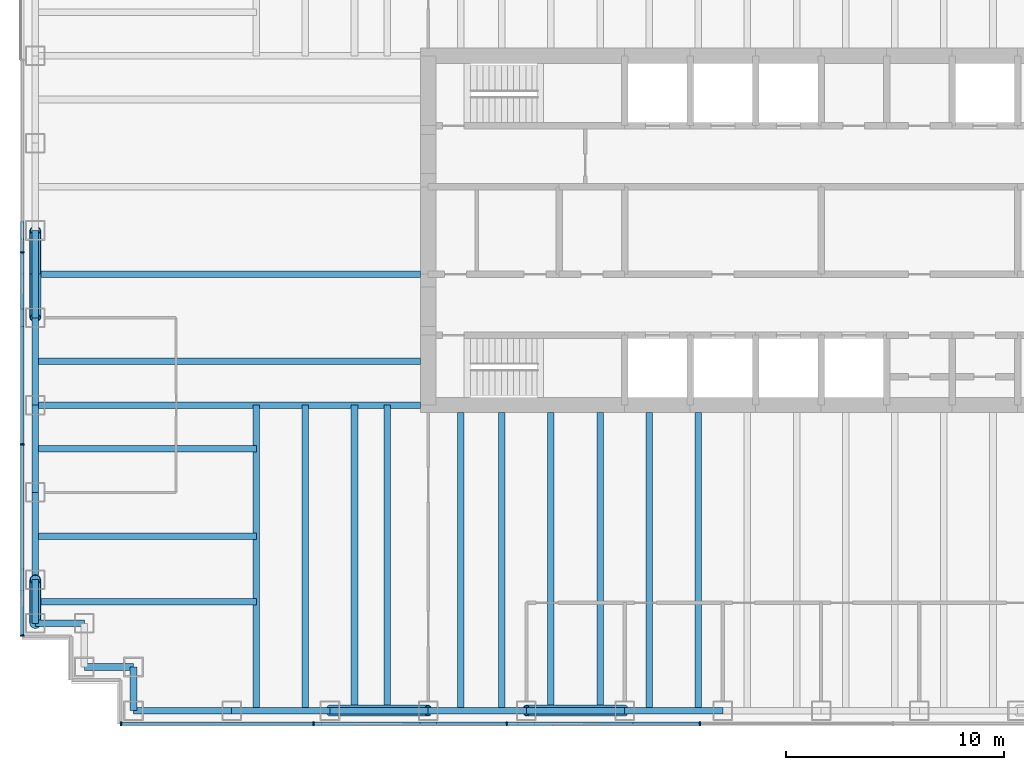
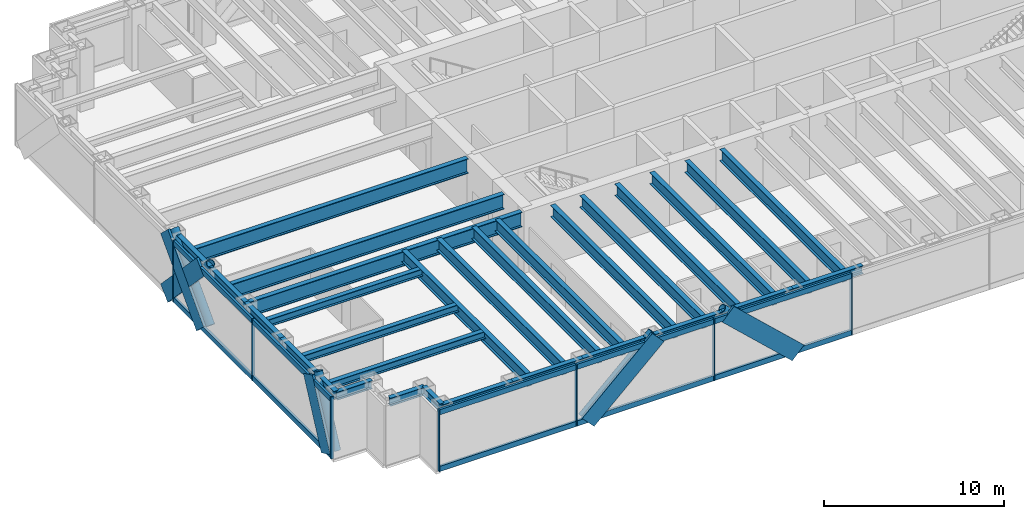
# One storey, part 2 of 15: 30 beams, 27 members, 2 elements without a shape of their own.
"""IFC4 building model written with IfcOpenShell, lengths in metres."""

from ifc_helpers import new_model, si_unit, direction, frame, origin, origin_2d, place, context, subcontext, project, spatial, rectangle, hollow_circle, i_section, extrude, material, material_profile, profile_set, type_object, element, aggregate, save


model = new_model("IFC4")

# Units and contexts
model_context = context("Model", 3, precision=1e-05, world=origin(), true_north=direction((0.0, 1.0)))
body_context = subcontext(model_context, "Body", "Model", "MODEL_VIEW")
ifc_project = project(units=[si_unit("LENGTHUNIT", "METRE"), si_unit("AREAUNIT", "SQUARE_METRE"), si_unit("VOLUMEUNIT", "CUBIC_METRE"), si_unit("PLANEANGLEUNIT", "RADIAN"), si_unit("MASSUNIT", "GRAM", prefix="KILO")], contexts=[model_context])

# Site, building, storey
site_placement = place(None, origin())
site = spatial("IfcSite", under=ifc_project, at=site_placement, CompositionType="ELEMENT")
building_placement = place(site_placement, origin())
building = spatial("IfcBuilding", under=site, at=building_placement, Name="Rheinbord Bourse Tower", CompositionType="ELEMENT")
storey_placement = place(building_placement, frame((0.0, 0.0, 313.10009765625)))
storey = spatial("IfcBuildingStorey", under=building, at=storey_placement, Name="L71", CompositionType="ELEMENT", Elevation=313.10009765625)

# Curtain wall, members
ifc_material_1 = material(Name="Dark glass and black aluminium", Category="aluminium")
curtain_wall_type = type_object("IfcCurtainWallType", Name="CW3 DARK GLASS CURTAIN WALL", PredefinedType="USERDEFINED", material=ifc_material_1)
curtain_wall_1_placement = place(storey_placement, origin())
curtain_wall_1 = element("IfcCurtainWall", 1, at=curtain_wall_1_placement, inside=storey, type_object=curtain_wall_type, Name="Curtain wall CW3 S L71", ObjectType="UNITISED CURTAIN WALL", PredefinedType="USERDEFINED")
ifc_material_2 = material(Name="Black anodised aluminium", Category="aluminium")
ifc_material_profile_1 = material_profile(ifc_material_2, rectangle(XDim=0.14990234375, YDim=1.10791015625, at=origin_2d()), Name="CW3 DIAGONAL MULLION 1108x150")
ifc_profile_set_1 = profile_set([ifc_material_profile_1], Name="Black anodised aluminium")
member_type_1 = type_object("IfcMemberType", Name="CW3 BLACK DIAGONAL MULLION", PredefinedType="USERDEFINED", material=ifc_profile_set_1)
member_1_placement = place(storey_placement, frame((13.5, 1.39990234375, 0.0), z_axis=(0.73105922506, 0.0, 0.682314010889), x_axis=(0.0, 1.0, 0.0)))
member_1 = element("IfcMember", 2, at=member_1_placement, type_object=member_type_1, Name="CW3 diagonal mullion b", ObjectType="DIAGONAL MULLION", PredefinedType="USERDEFINED", context=body_context, shape_type="SweptSolid", body=[
    extrude(rectangle(XDim=0.14990234375, YDim=1.10791015625, at=origin_2d()), origin(), (0.0, 0.0, 1.0), 6.155517578125),
])
member_2_placement = place(storey_placement, frame((27.0, 1.39990234375, 0.0), z_axis=(-0.73105922506, 0.0, 0.682314010889), x_axis=(0.0, -1.0, 0.0)))
member_2 = element("IfcMember", 3, at=member_2_placement, type_object=member_type_1, Name="CW3 diagonal mullion c", ObjectType="DIAGONAL MULLION", PredefinedType="USERDEFINED", context=body_context, shape_type="SweptSolid", body=[
    extrude(rectangle(XDim=0.14990234375, YDim=1.10791015625, at=origin_2d()), origin(), (0.0, 0.0, 1.0), 6.155517578125),
])

curtain_wall_2_placement = place(storey_placement, origin())
curtain_wall_2 = element("IfcCurtainWall", 4, at=curtain_wall_2_placement, inside=storey, type_object=curtain_wall_type, Name="Curtain wall CW3 W L71", ObjectType="UNITISED CURTAIN WALL", PredefinedType="USERDEFINED")
member_3_placement = place(storey_placement, frame((-0.60009765625, 6.0, 0.0), z_axis=(0.0, 0.429937654825, 0.902858578607), x_axis=(-1.0, 0.0, 0.0)))
member_3 = element("IfcMember", 5, at=member_3_placement, type_object=member_type_1, Name="CW3 diagonal mullion a", ObjectType="DIAGONAL MULLION", PredefinedType="USERDEFINED", context=body_context, shape_type="SweptSolid", body=[
    extrude(rectangle(XDim=0.14990234375, YDim=1.10791015625, at=origin_2d()), origin(), (0.0, 0.0, 1.0), 4.65185546875),
])
member_4_placement = place(storey_placement, frame((-0.60009765625, 20.0, 0.0), z_axis=(0.0, 0.689659376744, 0.724133926887), x_axis=(-1.0, 0.0, 0.0)))
member_4 = element("IfcMember", 6, at=member_4_placement, type_object=member_type_1, Name="CW3 diagonal mullion c", ObjectType="DIAGONAL MULLION", PredefinedType="USERDEFINED", context=body_context, shape_type="SweptSolid", body=[
    extrude(rectangle(XDim=0.14990234375, YDim=1.10791015625, at=origin_2d()), origin(), (0.0, 0.0, 1.0), 5.800048828125),
])
member_5_placement = place(storey_placement, frame((-0.60009765625, 24.0, 0.0), z_axis=(0.0, -0.689659376744, 0.724133926887), x_axis=(1.0, 0.0, 0.0)))
member_5 = element("IfcMember", 7, at=member_5_placement, type_object=member_type_1, Name="CW3 diagonal mullion d", ObjectType="DIAGONAL MULLION", PredefinedType="USERDEFINED", context=body_context, shape_type="SweptSolid", body=[
    extrude(rectangle(XDim=0.14990234375, YDim=1.10791015625, at=origin_2d()), origin(), (0.0, 0.0, 1.0), 5.800048828125),
])

# Member
ifc_material_3 = material(Name="Black anodised aluminium", Category="aluminium")
ifc_material_profile_2 = material_profile(ifc_material_3, rectangle(XDim=0.199951171875, YDim=0.06494140625, at=origin_2d()), Name="CW3 MULLION 65x200")
ifc_profile_set_2 = profile_set([ifc_material_profile_2], Name="Black anodised aluminium")
member_type_2 = type_object("IfcMemberType", Name="CW3 BLACK MULLION", PredefinedType="MULLION", material=ifc_profile_set_2)
member_6_placement = place(storey_placement, frame((3.9326171875, 1.39990234375, 0.0), z_axis=(0.0, 0.0, 1.0), x_axis=(0.0, 1.0, 0.0)))
member_6 = element("IfcMember", 8, at=member_6_placement, type_object=member_type_2, Name="CW3 mullion 1", PredefinedType="MULLION", context=body_context, shape_type="SweptSolid", body=[
    extrude(rectangle(XDim=0.199951171875, YDim=0.06494140625, at=origin_2d()), origin(), (0.0, 0.0, 1.0), 4.199951171875),
])

member_7_placement = place(storey_placement, frame((12.75, 1.39990234375, 0.0), z_axis=(0.0, 0.0, 1.0), x_axis=(0.0, 1.0, 0.0)))
member_7 = element("IfcMember", 9, at=member_7_placement, type_object=member_type_2, Name="CW3 mullion 2", PredefinedType="MULLION", context=body_context, shape_type="SweptSolid", body=[
    extrude(rectangle(XDim=0.199951171875, YDim=0.06494140625, at=origin_2d()), origin(), (0.0, 0.0, 1.0), 4.199951171875),
])

member_8_placement = place(storey_placement, frame((21.60009765625, 1.39990234375, 0.0), z_axis=(0.0, 0.0, 1.0), x_axis=(0.0, 1.0, 0.0)))
member_8 = element("IfcMember", 10, at=member_8_placement, type_object=member_type_2, Name="CW3 mullion 3", PredefinedType="MULLION", context=body_context, shape_type="SweptSolid", body=[
    extrude(rectangle(XDim=0.199951171875, YDim=0.06494140625, at=origin_2d()), origin(), (0.0, 0.0, 1.0), 4.199951171875),
])

member_9_placement = place(storey_placement, frame((30.449951171875, 1.39990234375, 0.0), z_axis=(0.0, 0.0, 1.0), x_axis=(0.0, 1.0, 0.0)))
member_9 = element("IfcMember", 11, at=member_9_placement, type_object=member_type_2, Name="CW3 mullion 4", PredefinedType="MULLION", context=body_context, shape_type="SweptSolid", body=[
    extrude(rectangle(XDim=0.199951171875, YDim=0.06494140625, at=origin_2d()), origin(), (0.0, 0.0, 1.0), 4.199951171875),
])

member_10_placement = place(storey_placement, frame((-0.60009765625, 23.0, 0.0), z_axis=(0.0, 0.0, 1.0), x_axis=(1.0, 0.0, 0.0)))
member_10 = element("IfcMember", 12, at=member_10_placement, type_object=member_type_2, Name="CW3 mullion 3", PredefinedType="MULLION", context=body_context, shape_type="SweptSolid", body=[
    extrude(rectangle(XDim=0.199951171875, YDim=0.06494140625, at=origin_2d()), origin(), (0.0, 0.0, 1.0), 4.199951171875),
])

member_11_placement = place(storey_placement, frame((-0.60009765625, 14.199951171875, 0.0), z_axis=(0.0, 0.0, 1.0), x_axis=(1.0, 0.0, 0.0)))
member_11 = element("IfcMember", 13, at=member_11_placement, type_object=member_type_2, Name="CW3 mullion 4", PredefinedType="MULLION", context=body_context, shape_type="SweptSolid", body=[
    extrude(rectangle(XDim=0.199951171875, YDim=0.06494140625, at=origin_2d()), origin(), (0.0, 0.0, 1.0), 4.199951171875),
])

member_12_placement = place(storey_placement, frame((-0.60009765625, 5.4326171875, 0.0), z_axis=(0.0, 0.0, 1.0), x_axis=(1.0, 0.0, 0.0)))
member_12 = element("IfcMember", 14, at=member_12_placement, type_object=member_type_2, Name="CW3 mullion 5", PredefinedType="MULLION", context=body_context, shape_type="SweptSolid", body=[
    extrude(rectangle(XDim=0.199951171875, YDim=0.06494140625, at=origin_2d()), origin(), (0.0, 0.0, 1.0), 4.199951171875),
])

ifc_material_4 = material(Name="Black anodised aluminium", Category="aluminium")
ifc_material_profile_3 = material_profile(ifc_material_4, rectangle(XDim=0.14990234375, YDim=0.35009765625, at=origin_2d()), Name="CW3 TRANSOM 350x150")
ifc_profile_set_3 = profile_set([ifc_material_profile_3], Name="Black anodised aluminium")
member_type_3 = type_object("IfcMemberType", Name="CW3 BLACK TRANSOM", PredefinedType="USERDEFINED", material=ifc_profile_set_3)
member_13_placement = place(storey_placement, frame((3.965087890625, 1.39990234375, 0.1748046875), z_axis=(1.0, 0.0, 0.0), x_axis=(0.0, 1.0, 0.0)))
member_13 = element("IfcMember", 15, at=member_13_placement, type_object=member_type_3, Name="CW3 transom 1.1", ObjectType="TRANSOM", PredefinedType="USERDEFINED", context=body_context, shape_type="SweptSolid", body=[
    extrude(rectangle(XDim=0.14990234375, YDim=0.35009765625, at=origin_2d()), origin(), (0.0, 0.0, 1.0), 8.75244140625),
])

member_14_placement = place(storey_placement, frame((3.965087890625, 1.39990234375, 4.02490234375), z_axis=(1.0, 0.0, 0.0), x_axis=(0.0, 1.0, 0.0)))
member_14 = element("IfcMember", 16, at=member_14_placement, type_object=member_type_3, Name="CW3 transom 1.2", ObjectType="TRANSOM", PredefinedType="USERDEFINED", context=body_context, shape_type="SweptSolid", body=[
    extrude(rectangle(XDim=0.14990234375, YDim=0.35009765625, at=origin_2d()), origin(), (0.0, 0.0, 1.0), 8.75244140625),
])

member_15_placement = place(storey_placement, frame((12.782470703125, 1.39990234375, 0.1748046875), z_axis=(1.0, 0.0, 0.0), x_axis=(0.0, 1.0, 0.0)))
member_15 = element("IfcMember", 17, at=member_15_placement, type_object=member_type_3, Name="CW3 transom 2.1", ObjectType="TRANSOM", PredefinedType="USERDEFINED", context=body_context, shape_type="SweptSolid", body=[
    extrude(rectangle(XDim=0.14990234375, YDim=0.35009765625, at=origin_2d()), origin(), (0.0, 0.0, 1.0), 8.784912109375),
])

member_16_placement = place(storey_placement, frame((12.782470703125, 1.39990234375, 4.02490234375), z_axis=(1.0, 0.0, 0.0), x_axis=(0.0, 1.0, 0.0)))
member_16 = element("IfcMember", 18, at=member_16_placement, type_object=member_type_3, Name="CW3 transom 2.2", ObjectType="TRANSOM", PredefinedType="USERDEFINED", context=body_context, shape_type="SweptSolid", body=[
    extrude(rectangle(XDim=0.14990234375, YDim=0.35009765625, at=origin_2d()), origin(), (0.0, 0.0, 1.0), 8.784912109375),
])

member_17_placement = place(storey_placement, frame((21.632568359375, 1.39990234375, 0.1748046875), z_axis=(1.0, 0.0, 0.0), x_axis=(0.0, 1.0, 0.0)))
member_17 = element("IfcMember", 19, at=member_17_placement, type_object=member_type_3, Name="CW3 transom 3.1", ObjectType="TRANSOM", PredefinedType="USERDEFINED", context=body_context, shape_type="SweptSolid", body=[
    extrude(rectangle(XDim=0.14990234375, YDim=0.35009765625, at=origin_2d()), origin(), (0.0, 0.0, 1.0), 8.784912109375),
])

member_18_placement = place(storey_placement, frame((21.632568359375, 1.39990234375, 4.02490234375), z_axis=(1.0, 0.0, 0.0), x_axis=(0.0, 1.0, 0.0)))
member_18 = element("IfcMember", 20, at=member_18_placement, type_object=member_type_3, Name="CW3 transom 3.2", ObjectType="TRANSOM", PredefinedType="USERDEFINED", context=body_context, shape_type="SweptSolid", body=[
    extrude(rectangle(XDim=0.14990234375, YDim=0.35009765625, at=origin_2d()), origin(), (0.0, 0.0, 1.0), 8.784912109375),
])

aggregate(curtain_wall_1, [member_6, member_7, member_8, member_9, member_13, member_14, member_15, member_16, member_17, member_18, member_1, member_2])

member_19_placement = place(storey_placement, frame((-0.60009765625, 22.967529296875, 0.1748046875), z_axis=(0.0, -1.0, 0.0), x_axis=(1.0, 0.0, 0.0)))
member_19 = element("IfcMember", 21, at=member_19_placement, type_object=member_type_3, Name="CW3 transom 3.1", ObjectType="TRANSOM", PredefinedType="USERDEFINED", context=body_context, shape_type="SweptSolid", body=[
    extrude(rectangle(XDim=0.14990234375, YDim=0.35009765625, at=origin_2d()), origin(), (0.0, 0.0, 1.0), 8.735107421875),
])

member_20_placement = place(storey_placement, frame((-0.60009765625, 22.967529296875, 4.02490234375), z_axis=(0.0, -1.0, 0.0), x_axis=(1.0, 0.0, 0.0)))
member_20 = element("IfcMember", 22, at=member_20_placement, type_object=member_type_3, Name="CW3 transom 3.2", ObjectType="TRANSOM", PredefinedType="USERDEFINED", context=body_context, shape_type="SweptSolid", body=[
    extrude(rectangle(XDim=0.14990234375, YDim=0.35009765625, at=origin_2d()), origin(), (0.0, 0.0, 1.0), 8.735107421875),
])

member_21_placement = place(storey_placement, frame((-0.60009765625, 14.16748046875, 0.1748046875), z_axis=(0.0, -1.0, 0.0), x_axis=(1.0, 0.0, 0.0)))
member_21 = element("IfcMember", 23, at=member_21_placement, type_object=member_type_3, Name="CW3 transom 4.1", ObjectType="TRANSOM", PredefinedType="USERDEFINED", context=body_context, shape_type="SweptSolid", body=[
    extrude(rectangle(XDim=0.14990234375, YDim=0.35009765625, at=origin_2d()), origin(), (0.0, 0.0, 1.0), 8.702392578125),
])

member_22_placement = place(storey_placement, frame((-0.60009765625, 14.16748046875, 4.02490234375), z_axis=(0.0, -1.0, 0.0), x_axis=(1.0, 0.0, 0.0)))
member_22 = element("IfcMember", 24, at=member_22_placement, type_object=member_type_3, Name="CW3 transom 4.2", ObjectType="TRANSOM", PredefinedType="USERDEFINED", context=body_context, shape_type="SweptSolid", body=[
    extrude(rectangle(XDim=0.14990234375, YDim=0.35009765625, at=origin_2d()), origin(), (0.0, 0.0, 1.0), 8.702392578125),
])

aggregate(curtain_wall_2, [member_10, member_11, member_12, member_19, member_20, member_21, member_22, member_3, member_4, member_5])

# Beams
ifc_material_5 = material(Name="Steel S460", Category="steel")
ifc_material_profile_4 = material_profile(ifc_material_5, i_section(OverallWidth=0.302001953125, OverallDepth=1.008056640625, WebThickness=0.02099609375, FlangeThickness=0.0400390625, at=origin_2d()), Name="HEM 1000")
ifc_profile_set_4 = profile_set([ifc_material_profile_4], Name="Steel S460")
beam_type_1 = type_object("IfcBeamType", Name="END BEAM HEM 1000", PredefinedType="BEAM", material=ifc_profile_set_4)
for number, where, z_axis, x_axis, name in (
    (25, (0.0, 18.0, 3.535888671875), (1.0, 0.0, 0.0), (0.0, 1.0, 0.0), "End beam west 18 L72"),
    (26, (0.0, 22.0, 3.535888671875), (1.0, 0.0, 0.0), (0.0, 1.0, 0.0), "End beam west 22 L72"),
):
    element("IfcBeam", number, at=place(storey_placement, frame(where, z_axis=z_axis, x_axis=x_axis)), inside=storey, type_object=beam_type_1, Name=name, PredefinedType="BEAM", context=body_context, shape_type="SweptSolid", body=[
        extrude(i_section(OverallWidth=0.302001953125, OverallDepth=1.008056640625, WebThickness=0.02099609375, FlangeThickness=0.0400390625, at=origin_2d()), origin(), (0.0, 0.0, 1.0), 17.64990234375),
    ])
ifc_material_6 = material(Name="Steel S460", Category="steel")
ifc_material_profile_5 = material_profile(ifc_material_6, i_section(OverallWidth=0.300048828125, OverallDepth=0.800048828125, WebThickness=0.017578125, FlangeThickness=0.032958984375, at=origin_2d()), Name="HEB 800")
ifc_profile_set_5 = profile_set([ifc_material_profile_5], Name="Steel S460")
beam_type_2 = type_object("IfcBeamType", Name="FLOOR BEAM HEB 800", PredefinedType="BEAM", material=ifc_profile_set_5)
for number, where, z_axis, x_axis, name in (
    (27, (10.125, 2.0, 3.639892578125), (0.0, 1.0, 0.0), (-1.0, 0.0, 0.0), "Floor beam S-9a L72"),
    (28, (12.375, 2.0, 3.639892578125), (0.0, 1.0, 0.0), (-1.0, 0.0, 0.0), "Floor beam S-9b L72"),
    (29, (14.625, 2.0, 3.639892578125), (0.0, 1.0, 0.0), (-1.0, 0.0, 0.0), "Floor beam S-13.5a L72"),
    (30, (16.125, 2.0, 3.639892578125), (0.0, 1.0, 0.0), (-1.0, 0.0, 0.0), "Floor beam S-13.5b L72"),
):
    element("IfcBeam", number, at=place(storey_placement, frame(where, z_axis=z_axis, x_axis=x_axis)), inside=storey, type_object=beam_type_2, Name=name, PredefinedType="BEAM", context=body_context, shape_type="SweptSolid", body=[
        extrude(i_section(OverallWidth=0.300048828125, OverallDepth=0.800048828125, WebThickness=0.017578125, FlangeThickness=0.032958984375, at=origin_2d()), origin(), (0.0, 0.0, 1.0), 14.0),
    ])
for number, where, z_axis, x_axis, name in (
    (31, (19.5, 2.0, 3.639892578125), (0.0, 1.0, 0.0), (-1.0, 0.0, 0.0), "Floor beam S-18a L72"),
    (32, (21.375, 2.0, 3.639892578125), (0.0, 1.0, 0.0), (-1.0, 0.0, 0.0), "Floor beam S-18b L72"),
    (33, (23.625, 2.0, 3.639892578125), (0.0, 1.0, 0.0), (-1.0, 0.0, 0.0), "Floor beam S-22.5a L72"),
    (34, (25.875, 2.0, 3.639892578125), (0.0, 1.0, 0.0), (-1.0, 0.0, 0.0), "Floor beam S-22.5b L72"),
    (35, (28.125, 2.0, 3.639892578125), (0.0, 1.0, 0.0), (-1.0, 0.0, 0.0), "Floor beam S-27a L72"),
    (36, (30.375, 2.0, 3.639892578125), (0.0, 1.0, 0.0), (-1.0, 0.0, 0.0), "Floor beam S-27b L72"),
):
    element("IfcBeam", number, at=place(storey_placement, frame(where, z_axis=z_axis, x_axis=x_axis)), inside=storey, type_object=beam_type_2, Name=name, PredefinedType="BEAM", context=body_context, shape_type="SweptSolid", body=[
        extrude(i_section(OverallWidth=0.300048828125, OverallDepth=0.800048828125, WebThickness=0.017578125, FlangeThickness=0.032958984375, at=origin_2d()), origin(), (0.0, 0.0, 1.0), 13.64990234375),
    ])
ifc_material_7 = material(Name="Steel S460", Category="steel")
ifc_material_profile_6 = material_profile(ifc_material_7, i_section(OverallWidth=0.302001953125, OverallDepth=1.008056640625, WebThickness=0.02099609375, FlangeThickness=0.0400390625, at=origin_2d()), Name="HEM 1000")
ifc_profile_set_6 = profile_set([ifc_material_profile_6], Name="Steel S460")
beam_type_3 = type_object("IfcBeamType", Name="GIRDER HEM 1000", PredefinedType="BEAM", material=ifc_profile_set_6)
beam_1_placement = place(storey_placement, frame((0.0, 16.0, 3.535888671875), z_axis=(1.0, 0.0, 0.0), x_axis=(0.0, 1.0, 0.0)))
element("IfcBeam", 37, at=beam_1_placement, inside=storey, type_object=beam_type_3, Name="Girder west 16 L72", PredefinedType="BEAM", context=body_context, shape_type="SweptSolid", body=[
    extrude(i_section(OverallWidth=0.302001953125, OverallDepth=1.008056640625, WebThickness=0.02099609375, FlangeThickness=0.0400390625, at=origin_2d()), origin(), (0.0, 0.0, 1.0), 17.64990234375),
])

# Members
ifc_material_8 = material(Name="Steel S460", Category="steel")
ifc_material_profile_7 = material_profile(ifc_material_8, hollow_circle(Radius=0.25390625, WallThickness=0.030029296875, at=origin_2d()), Name="CHS 508x30")
ifc_profile_set_7 = profile_set([ifc_material_profile_7], Name="Steel S460")
member_type_4 = type_object("IfcMemberType", Name="MEGABRACE CHS 508x30", PredefinedType="BRACE", material=ifc_profile_set_7)
for number, where, z_axis, x_axis, name in (
    (38, (13.5, 2.0, 0.0), (0.73105922506, 0.0, 0.682314010889), (0.0, 1.0, 0.0), "Megabrace S face line b L71"),
    (39, (27.0, 2.0, 0.0), (-0.73105922506, 0.0, 0.682314010889), (0.0, -1.0, 0.0), "Megabrace S face line c L71"),
):
    element("IfcMember", number, at=place(storey_placement, frame(where, z_axis=z_axis, x_axis=x_axis)), inside=storey, type_object=member_type_4, Name=name, PredefinedType="BRACE", context=body_context, shape_type="SweptSolid", body=[
        extrude(hollow_circle(Radius=0.25390625, WallThickness=0.030029296875, at=origin_2d()), origin(), (0.0, 0.0, 1.0), 6.155517578125),
    ])
member_23_placement = place(storey_placement, frame((0.0, 6.0, 0.0), z_axis=(0.0, 0.429937654825, 0.902858578607), x_axis=(-1.0, 0.0, 0.0)))
element("IfcMember", 40, at=member_23_placement, inside=storey, type_object=member_type_4, Name="Megabrace W face line a L71", PredefinedType="BRACE", context=body_context, shape_type="SweptSolid", body=[
    extrude(hollow_circle(Radius=0.25390625, WallThickness=0.030029296875, at=origin_2d()), origin(), (0.0, 0.0, 1.0), 4.65185546875),
])
for number, where, z_axis, x_axis, name in (
    (41, (0.0, 20.0, 0.0), (0.0, 0.689659376744, 0.724133926887), (-1.0, 0.0, 0.0), "Megabrace W face line c L71"),
    (42, (0.0, 24.0, 0.0), (0.0, -0.689659376744, 0.724133926887), (1.0, 0.0, 0.0), "Megabrace W face line d L71"),
):
    element("IfcMember", number, at=place(storey_placement, frame(where, z_axis=z_axis, x_axis=x_axis)), inside=storey, type_object=member_type_4, Name=name, PredefinedType="BRACE", context=body_context, shape_type="SweptSolid", body=[
        extrude(hollow_circle(Radius=0.25390625, WallThickness=0.030029296875, at=origin_2d()), origin(), (0.0, 0.0, 1.0), 5.800048828125),
    ])

# Beams
ifc_material_9 = material(Name="Steel S460", Category="steel")
ifc_material_profile_8 = material_profile(ifc_material_9, i_section(OverallWidth=0.300048828125, OverallDepth=0.550048828125, WebThickness=0.014892578125, FlangeThickness=0.029052734375, at=origin_2d()), Name="HEB 550")
ifc_profile_set_8 = profile_set([ifc_material_profile_8], Name="Steel S460")
beam_type_4 = type_object("IfcBeamType", Name="SPANDREL HEB 550", PredefinedType="SPANDREL", material=ifc_profile_set_8)
for number, where, z_axis, x_axis, name in (
    (43, (4.5, 2.0, 3.764892578125), (1.0, 0.0, 0.0), (0.0, 1.0, 0.0), "Spandrel SW-E-S-9 under L72"),
    (44, (9.0, 2.0, 3.764892578125), (1.0, 0.0, 0.0), (0.0, 1.0, 0.0), "Spandrel S-9-S-13.5 under L72"),
    (45, (13.5, 2.0, 3.764892578125), (1.0, 0.0, 0.0), (0.0, 1.0, 0.0), "Spandrel S-13.5-S-18 under L72"),
    (46, (18.0, 2.0, 3.764892578125), (1.0, 0.0, 0.0), (0.0, 1.0, 0.0), "Spandrel S-18-S-22.5 under L72"),
    (47, (22.5, 2.0, 3.764892578125), (1.0, 0.0, 0.0), (0.0, 1.0, 0.0), "Spandrel S-22.5-S-27 under L72"),
    (48, (27.0, 2.0, 3.764892578125), (1.0, 0.0, 0.0), (0.0, 1.0, 0.0), "Spandrel S-27-S-31.5 under L72"),
):
    element("IfcBeam", number, at=place(storey_placement, frame(where, z_axis=z_axis, x_axis=x_axis)), inside=storey, type_object=beam_type_4, Name=name, PredefinedType="SPANDREL", context=body_context, shape_type="SweptSolid", body=[
        extrude(i_section(OverallWidth=0.300048828125, OverallDepth=0.550048828125, WebThickness=0.014892578125, FlangeThickness=0.029052734375, at=origin_2d()), origin(), (0.0, 0.0, 1.0), 4.5),
    ])
for number, where, z_axis, x_axis, name in (
    (49, (0.0, 24.0, 3.764892578125), (0.0, -1.0, 0.0), (1.0, 0.0, 0.0), "Spandrel W-24-W-20 under L72"),
    (50, (0.0, 20.0, 3.764892578125), (0.0, -1.0, 0.0), (1.0, 0.0, 0.0), "Spandrel W-20-W-16 under L72"),
    (51, (0.0, 16.0, 3.764892578125), (0.0, -1.0, 0.0), (1.0, 0.0, 0.0), "Spandrel W-16-W-12 under L72"),
    (52, (0.0, 12.0, 3.764892578125), (0.0, -1.0, 0.0), (1.0, 0.0, 0.0), "Spandrel W-12-W-8 under L72"),
):
    element("IfcBeam", number, at=place(storey_placement, frame(where, z_axis=z_axis, x_axis=x_axis)), inside=storey, type_object=beam_type_4, Name=name, PredefinedType="SPANDREL", context=body_context, shape_type="SweptSolid", body=[
        extrude(i_section(OverallWidth=0.300048828125, OverallDepth=0.550048828125, WebThickness=0.014892578125, FlangeThickness=0.029052734375, at=origin_2d()), origin(), (0.0, 0.0, 1.0), 4.0),
    ])
beam_2_placement = place(storey_placement, frame((0.0, 8.0, 3.764892578125), z_axis=(0.0, -1.0, 0.0), x_axis=(1.0, 0.0, 0.0)))
element("IfcBeam", 53, at=beam_2_placement, inside=storey, type_object=beam_type_4, Name="Spandrel W-8-SW-A under L72", PredefinedType="SPANDREL", context=body_context, shape_type="SweptSolid", body=[
    extrude(i_section(OverallWidth=0.300048828125, OverallDepth=0.550048828125, WebThickness=0.014892578125, FlangeThickness=0.029052734375, at=origin_2d()), origin(), (0.0, 0.0, 1.0), 2.0),
])
for number, where, z_axis, x_axis, name in (
    (54, (0.0, 6.0, 3.764892578125), (1.0, 0.0, 0.0), (0.0, 1.0, 0.0), "Spandrel SW-A-SW-B under L72"),
    (55, (2.25, 4.0, 3.764892578125), (1.0, 0.0, 0.0), (0.0, 1.0, 0.0), "Spandrel SW-C-SW-D under L72"),
):
    element("IfcBeam", number, at=place(storey_placement, frame(where, z_axis=z_axis, x_axis=x_axis)), inside=storey, type_object=beam_type_4, Name=name, PredefinedType="SPANDREL", context=body_context, shape_type="SweptSolid", body=[
        extrude(i_section(OverallWidth=0.300048828125, OverallDepth=0.550048828125, WebThickness=0.014892578125, FlangeThickness=0.029052734375, at=origin_2d()), origin(), (0.0, 0.0, 1.0), 2.25),
    ])
beam_3_placement = place(storey_placement, frame((4.5, 4.0, 3.764892578125), z_axis=(0.0, -1.0, 0.0), x_axis=(1.0, 0.0, 0.0)))
element("IfcBeam", 56, at=beam_3_placement, inside=storey, type_object=beam_type_4, Name="Spandrel SW-D-SW-E under L72", PredefinedType="SPANDREL", context=body_context, shape_type="SweptSolid", body=[
    extrude(i_section(OverallWidth=0.300048828125, OverallDepth=0.550048828125, WebThickness=0.014892578125, FlangeThickness=0.029052734375, at=origin_2d()), origin(), (0.0, 0.0, 1.0), 2.0),
])
ifc_material_10 = material(Name="Steel S460", Category="steel")
ifc_material_profile_9 = material_profile(ifc_material_10, i_section(OverallWidth=0.300048828125, OverallDepth=0.5, WebThickness=0.014404296875, FlangeThickness=0.028076171875, at=origin_2d()), Name="HEB 500")
ifc_profile_set_9 = profile_set([ifc_material_profile_9], Name="Steel S460")
beam_type_5 = type_object("IfcBeamType", Name="TIE BEAM HEB 500", PredefinedType="JOIST", material=ifc_profile_set_9)
for number, where, z_axis, x_axis, name in (
    (57, (0.0, 7.0, 3.789794921875), (1.0, 0.0, 0.0), (0.0, 1.0, 0.0), "Tie west 7 L72"),
    (58, (0.0, 10.0, 3.789794921875), (1.0, 0.0, 0.0), (0.0, 1.0, 0.0), "Tie west 10 L72"),
    (59, (0.0, 14.0, 3.789794921875), (1.0, 0.0, 0.0), (0.0, 1.0, 0.0), "Tie west 14 L72"),
):
    element("IfcBeam", number, at=place(storey_placement, frame(where, z_axis=z_axis, x_axis=x_axis)), inside=storey, type_object=beam_type_5, Name=name, PredefinedType="JOIST", context=body_context, shape_type="SweptSolid", body=[
        extrude(i_section(OverallWidth=0.300048828125, OverallDepth=0.5, WebThickness=0.014404296875, FlangeThickness=0.028076171875, at=origin_2d()), origin(), (0.0, 0.0, 1.0), 10.125),
    ])

save(model, "model.ifc")
